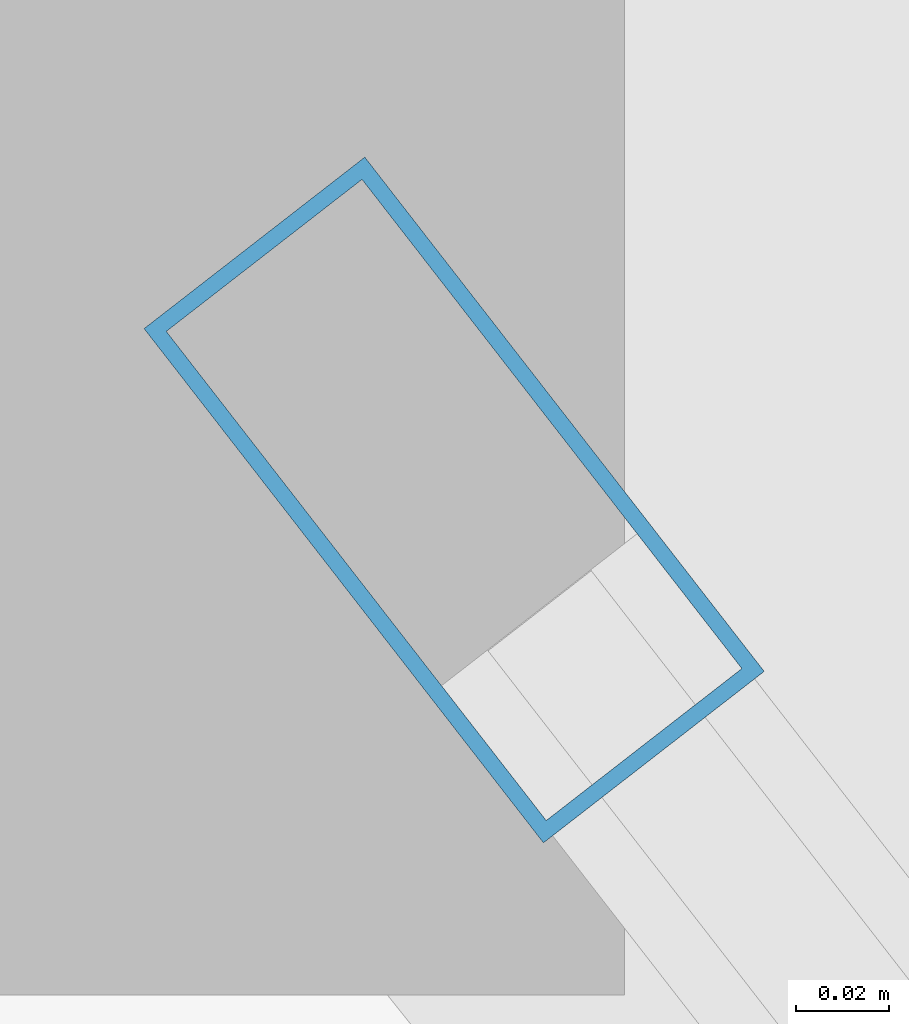
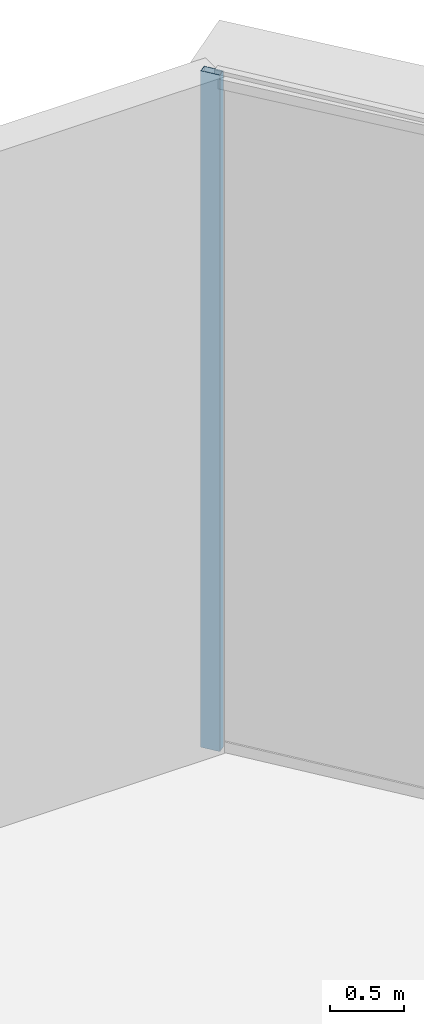
# One storey, part 26 of 33: 1 member, 1 element without a shape of its own.
"""IFC4 building model written with IfcOpenShell, lengths in metres."""

from ifc_helpers import new_model, si_unit, direction, frame, origin, origin_2d, place, context, subcontext, project, spatial, hollow_rectangle, extrude, source, transform, mapped, material, layer, layer_set, material_profile, profile_set, type_object, element, aggregate, save


model = new_model("IFC4")

# Units and contexts
model_context = context("Model", 3, precision=1e-05, world=origin(), true_north=direction((0.0, 1.0)))
body_context = subcontext(model_context, "Body", "Model", "MODEL_VIEW")
ifc_project = project(units=[si_unit("LENGTHUNIT", "METRE"), si_unit("AREAUNIT", "SQUARE_METRE"), si_unit("VOLUMEUNIT", "CUBIC_METRE"), si_unit("PLANEANGLEUNIT", "RADIAN"), si_unit("MASSUNIT", "GRAM", prefix="KILO"), si_unit("THERMODYNAMICTEMPERATUREUNIT", "KELVIN"), si_unit("POWERUNIT", "WATT")], contexts=[model_context])

# Site, building, storey
site_placement = place(None, origin())
site = spatial("IfcSite", under=ifc_project, at=site_placement, CompositionType="ELEMENT")
building_placement = place(site_placement, origin())
building = spatial("IfcBuilding", under=site, at=building_placement, Name="Yunzhuo Pagoda Commons", CompositionType="ELEMENT")
storey_placement = place(building_placement, frame((0.0, 0.0, 314.860107421875)))
storey = spatial("IfcBuildingStorey", under=building, at=storey_placement, Name="L79", CompositionType="ELEMENT", Elevation=314.860107421875)

# Curtain wall, member
ifc_material = material(Name="Anodized aluminium 6063-T6", Category="aluminium")
ifc_layer = layer(ifc_material, 0.139892578125)
ifc_layer_set = layer_set([ifc_layer], Name="Anodized aluminium 6063-T6")
curtain_wall_type = type_object("IfcCurtainWallType", Name="CW-HI High-Zone Ribbon Curtain Wall", PredefinedType="NOTDEFINED", material=ifc_layer_set)
curtain_wall_placement = place(storey_placement, origin())
curtain_wall = element("IfcCurtainWall", 1, at=curtain_wall_placement, inside=storey, type_object=curtain_wall_type, Name="L79 curtain wall CW-L79-F2B5", PredefinedType="NOTDEFINED")
ifc_material_profile = material_profile(ifc_material, hollow_rectangle(XDim=0.06005859375, YDim=0.139892578125, WallThickness=0.00341796875, at=origin_2d()), Name="Anodized aluminium 6063-T6")
ifc_profile_set = profile_set([ifc_material_profile], Name="Anodized aluminium 6063-T6")
member_type = type_object("IfcMemberType", Name="CW-HI-M Mullion RHS 140x60x3.5", PredefinedType="MULLION", material=ifc_profile_set)
shared_shape = source(origin(), body_context, "Body", "SweptSolid", [
    extrude(hollow_rectangle(XDim=0.06005859375, YDim=0.139892578125, WallThickness=0.00341796875, at=origin_2d()), origin(), (0.0, 0.0, 1.0), 5.56982421875),
])
member_placement = place(storey_placement, frame((51.30419921875, 73.76220703125, 0.0), z_axis=(0.0, 0.0, 1.0), x_axis=(-0.789782734714, -0.61338669039, 0.0)))
member = element("IfcMember", 2, at=member_placement, type_object=member_type, Name="CW mullion 2", PredefinedType="MULLION", context=body_context, shape_type="MappedRepresentation", body=[
    mapped(shared_shape, transform((0.0, 0.0, 0.0), scale=1.0)),
])
aggregate(curtain_wall, [member])

save(model, "model.ifc")
